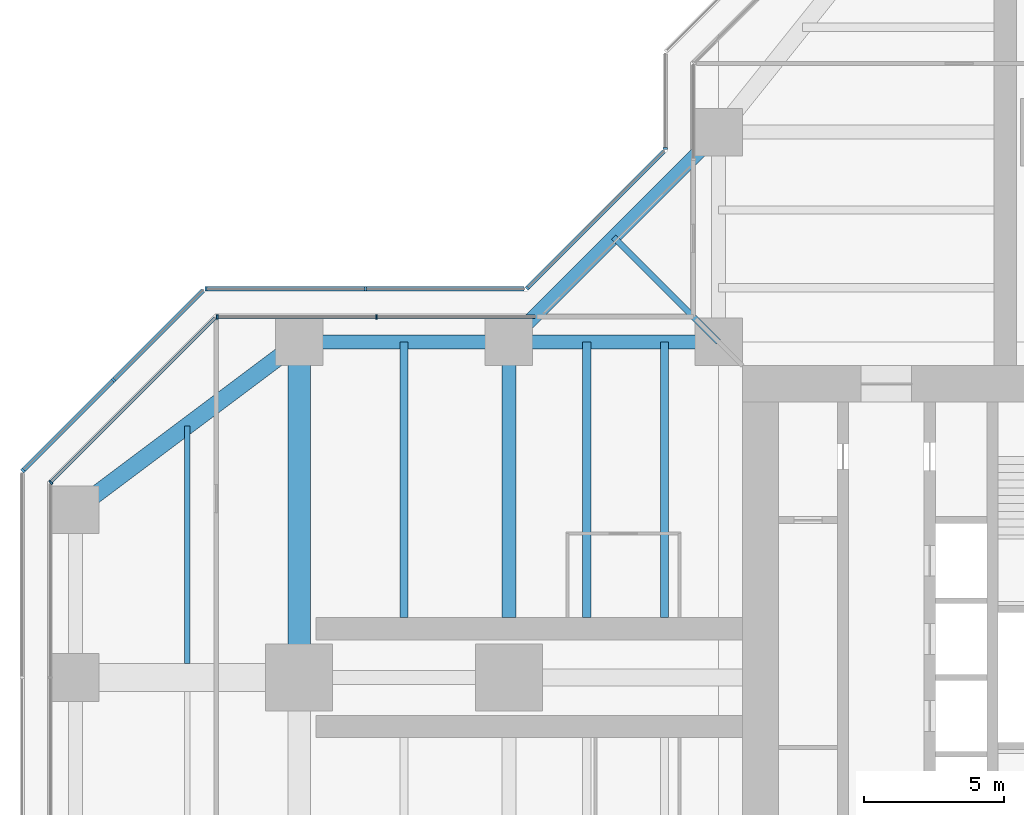
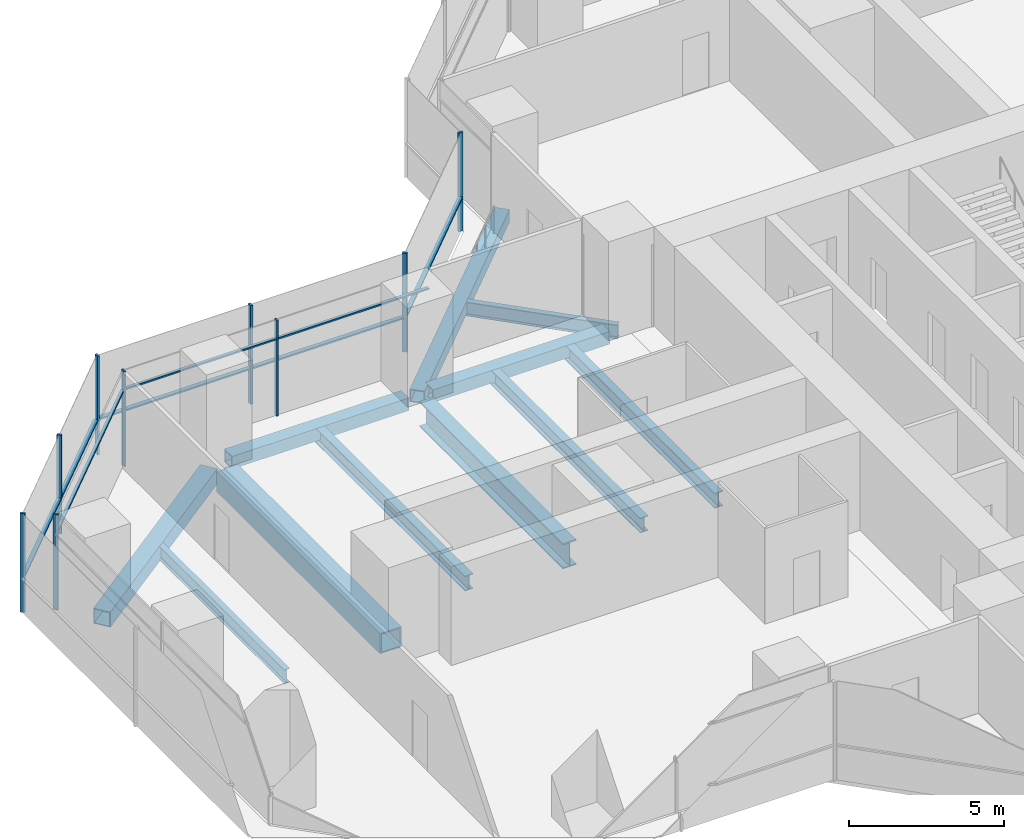
# One storey, part 7 of 19: 17 members, 11 beams, 6 elements without a shape of their own.
"""IFC4 building model written with IfcOpenShell, lengths in metres."""

import ifcopenshell
import ifcopenshell.guid

model = None  # the IFC model being written
_history = None  # IfcOwnerHistory: only IFC2X3 demands one
_inside = {}  # id of a spatial element -> (the spatial element, [elements in it])
_under = {}  # id of a project, library or spatial element -> (it, [spatial elements below it])
_declared = {}  # id of a project -> (the project, [libraries it declares])
_typed = {}  # id of a type object -> (the type object, [elements of that type])
_made_of = {}  # id of a material, layer set ... -> (it, [elements and type objects made of it])


def new_model(schema):
    """Start an empty IFC model of exactly this schema.

    Asked for "IFC4X3", IfcOpenShell would pick the latest addendum, in which some entities
    have other attributes; the version numbers below select the first issue.
    IFC2X3 requires an IfcOwnerHistory on every rooted entity: one is made here for all.
    """
    global model, _history
    if schema == "IFC4X3":
        model = ifcopenshell.file(schema_version=(4, 3, 0, 0))
    else:
        model = ifcopenshell.file(schema=schema)
    _inside.clear()
    _under.clear()
    _declared.clear()
    _typed.clear()
    _made_of.clear()
    _history = None
    if model.schema == "IFC2X3":
        org = make("IfcOrganization", Name="unknown")
        user = make(
            "IfcPersonAndOrganization",
            ThePerson=make("IfcPerson", FamilyName="unknown"),
            TheOrganization=org,
        )
        app = make(
            "IfcApplication",
            ApplicationDeveloper=org,
            Version="unknown",
            ApplicationFullName="unknown",
            ApplicationIdentifier="unknown",
        )
        _history = make(
            "IfcOwnerHistory",
            OwningUser=user,
            OwningApplication=app,
            ChangeAction="ADDED",
            CreationDate=0,
        )
    return model


def make(cls, **values):
    """One entity of the class cls with the attributes given. An attribute that is None is left unset."""
    return model.create_entity(
        cls, **{name: value for name, value in values.items() if value is not None}
    )


def rooted(cls, **values):
    """An entity with a GlobalId (a new one), such as an element, a storey or a relation."""
    return make(cls, GlobalId=ifcopenshell.guid.new(), OwnerHistory=_history, **values)


def si_unit(unit_type, name, prefix=None):
    """IfcSIUnit, for example si_unit("LENGTHUNIT", "METRE", prefix="MILLI")."""
    return make("IfcSIUnit", UnitType=unit_type, Prefix=prefix, Name=name)


def assignment(units):
    """IfcUnitAssignment: the units of a project."""
    return None if units is None else make("IfcUnitAssignment", Units=units)


def point(xyz):
    """IfcCartesianPoint."""
    return None if xyz is None else make("IfcCartesianPoint", Coordinates=xyz)


def direction(xyz):
    """IfcDirection."""
    return None if xyz is None else make("IfcDirection", DirectionRatios=xyz)


def frame(location, z_axis=None, x_axis=None):
    """IfcAxis2Placement3D, a coordinate frame: its origin and axes. An axis left out is left unset."""
    return make(
        "IfcAxis2Placement3D",
        Location=point(location),
        Axis=direction(z_axis),
        RefDirection=direction(x_axis),
    )


def frame_2d(location, x_axis=None):
    """IfcAxis2Placement2D, a coordinate frame in the plane: its origin and x axis."""
    return make(
        "IfcAxis2Placement2D", Location=point(location), RefDirection=direction(x_axis)
    )


def origin():
    """The frame at (0, 0, 0) with its axes left unset."""
    return frame((0.0, 0.0, 0.0))


def origin_2d():
    """The frame at (0, 0) in the plane with its x axis left unset."""
    return frame_2d((0.0, 0.0))


def place(relative_to, where):
    """IfcLocalPlacement: puts the frame where relative to a parent placement (None: the world)."""
    return make(
        "IfcLocalPlacement", PlacementRelTo=relative_to, RelativePlacement=where
    )


def context(
    kind, dimensions, precision=None, world=None, true_north=None, identifier=None
):
    """IfcGeometricRepresentationContext, for example the 3D "Model" context."""
    return make(
        "IfcGeometricRepresentationContext",
        ContextIdentifier=identifier,
        ContextType=kind,
        CoordinateSpaceDimension=dimensions,
        Precision=precision,
        WorldCoordinateSystem=world,
        TrueNorth=true_north,
    )


def subcontext(parent, identifier, kind, view, scale=None):
    """IfcGeometricRepresentationSubContext, for example "Body" below "Model"."""
    return make(
        "IfcGeometricRepresentationSubContext",
        ContextIdentifier=identifier,
        ContextType=kind,
        ParentContext=parent,
        TargetScale=scale,
        TargetView=view,
    )


def project(units=None, contexts=None):
    """IfcProject with its units and contexts."""
    return rooted(
        "IfcProject",
        Name="project",
        RepresentationContexts=contexts,
        UnitsInContext=assignment(units),
    )


def spatial(cls, under=None, at=None, **own):
    """A site, building, storey or space (cls), placed at a placement, below another one or the project."""
    s = rooted(cls, ObjectPlacement=at, **own)
    if under is not None:
        _under.setdefault(under.id(), (under, []))[1].append(s)
    return s


def profile(cls, at=None, kind="AREA", **sizes):
    """A parametric profile (cls). Its sizes go by their IFC names, for example OverallWidth=200.0."""
    return make(cls, ProfileType=kind, Position=at, **sizes)


def rectangle(**sizes):
    """IfcRectangleProfileDef."""
    return profile("IfcRectangleProfileDef", **sizes)


def hollow_rectangle(**sizes):
    """IfcRectangleHollowProfileDef."""
    return profile("IfcRectangleHollowProfileDef", **sizes)


def i_section(**sizes):
    """IfcIShapeProfileDef."""
    return profile("IfcIShapeProfileDef", **sizes)


def extrude(swept, where, along, depth):
    """IfcExtrudedAreaSolid: the profile swept, set in the frame where, extruded along a direction by depth."""
    return make(
        "IfcExtrudedAreaSolid",
        SweptArea=swept,
        Position=where,
        ExtrudedDirection=direction(along),
        Depth=depth,
    )


def shape(context_of_items, identifier, shape_type, items):
    """IfcShapeRepresentation: the items that make up one representation, for example the "Body"."""
    return make(
        "IfcShapeRepresentation",
        ContextOfItems=context_of_items,
        RepresentationIdentifier=identifier,
        RepresentationType=shape_type,
        Items=items,
    )


def material(Name=None, Category=None):
    """IfcMaterial."""
    return make("IfcMaterial", Name=Name, Category=Category)


def material_profile(
    of_material, cross_section, Name=None, Category=None, Priority=None
):
    """IfcMaterialProfile: a cross section and its material."""
    return make(
        "IfcMaterialProfile",
        Name=Name,
        Material=of_material,
        Profile=cross_section,
        Priority=Priority,
        Category=Category,
    )


def profile_set(profiles, Name=None, composite=None):
    """IfcMaterialProfileSet."""
    return make(
        "IfcMaterialProfileSet",
        Name=Name,
        MaterialProfiles=profiles,
        CompositeProfile=composite,
    )


def made_of(thing, what):
    """Note that an element or type object is made of a material, layer set ...; save() writes the relation."""
    if what is not None:
        _made_of.setdefault(what.id(), (what, []))[1].append(thing)
    return thing


def type_object(cls, material=None, **own):
    """A type object (cls), such as IfcWallType, which elements share."""
    return made_of(rooted(cls, **own), material)


def element(
    cls,
    number,
    at=None,
    inside=None,
    cuts=None,
    type_object=None,
    material=None,
    context=None,
    identifier="Body",
    shape_type=None,
    held_by="IfcProductDefinitionShape",
    body=None,
    shapes=None,
    **own,
):
    """One element of the class cls, such as IfcWall. Its Tag is "e" and its number.

    at: its placement. inside: the storey or other place that contains it. cuts: it is an
    opening in that element (IfcRelVoidsElement). A single representation is given by context,
    identifier, shape_type and body (its items); several are given by shapes. held_by: the class
    of the entity that holds the representations. save() writes the other relations.
    """
    e = rooted(cls, Tag="e%d" % number, ObjectPlacement=at, **own)
    if body is not None:
        shapes = [shape(context, identifier, shape_type, body)]
    if shapes is not None:
        e.Representation = make(held_by, Representations=shapes)
    if inside is not None:
        _inside.setdefault(inside.id(), (inside, []))[1].append(e)
    if cuts is not None:
        rooted(
            "IfcRelVoidsElement", RelatingBuildingElement=cuts, RelatedOpeningElement=e
        )
    if type_object is not None:
        _typed.setdefault(type_object.id(), (type_object, []))[1].append(e)
    return made_of(e, material)


def aggregate(whole, parts):
    """IfcRelAggregates: a whole, such as a stair, and the parts it consists of."""
    return rooted("IfcRelAggregates", RelatingObject=whole, RelatedObjects=parts)


def save(model, path):
    """Write the relations noted so far, then the file.

    IfcRelAggregates (storeys below a building ...), IfcRelContainedInSpatialStructure (elements
    in a storey), IfcRelDefinesByType, IfcRelAssociatesMaterial and IfcRelDeclares: one each for
    every whole, place, type object, material and project.
    """
    for whole, parts in _under.values():
        aggregate(whole, parts)
    for where, things in _inside.values():
        rooted(
            "IfcRelContainedInSpatialStructure",
            RelatedElements=things,
            RelatingStructure=where,
        )
    for kind, things in _typed.values():
        rooted("IfcRelDefinesByType", RelatedObjects=things, RelatingType=kind)
    for what, things in _made_of.values():
        rooted("IfcRelAssociatesMaterial", RelatedObjects=things, RelatingMaterial=what)
    for by, libraries in _declared.values():
        rooted("IfcRelDeclares", RelatingContext=by, RelatedDefinitions=libraries)
    model.write(path)


model = new_model("IFC4")

# Units and contexts
model_context = context("Model", 3, precision=1e-05, world=origin(), true_north=direction((0.0, 1.0)))
body_context = subcontext(model_context, "Body", "Model", "MODEL_VIEW")
ifc_project = project(units=[si_unit("LENGTHUNIT", "METRE"), si_unit("AREAUNIT", "SQUARE_METRE"), si_unit("VOLUMEUNIT", "CUBIC_METRE"), si_unit("PLANEANGLEUNIT", "RADIAN"), si_unit("MASSUNIT", "GRAM", prefix="KILO")], contexts=[model_context])

# Site, building, storey
site_placement = place(None, origin())
site = spatial("IfcSite", under=ifc_project, at=site_placement, CompositionType="ELEMENT")
building_placement = place(site_placement, origin())
building = spatial("IfcBuilding", under=site, at=building_placement, Name="Mizan Broadcast Tower", CompositionType="ELEMENT")
storey_placement = place(building_placement, frame((0.0, 0.0, 132.0)))
storey = spatial("IfcBuildingStorey", under=building, at=storey_placement, Name="L29", CompositionType="ELEMENT", Elevation=132.0)

# Beams
ifc_material_1 = material(Name="Steel S355", Category="steel")
ifc_material_profile_1 = material_profile(ifc_material_1, hollow_rectangle(XDim=0.5, YDim=0.5, WallThickness=0.030029296875, at=origin_2d()), Name="BOX 500x500x30")
ifc_profile_set_1 = profile_set([ifc_material_profile_1], Name="Steel S355")
beam_type_1 = type_object("IfcBeamType", Name="EDGE BEAM BOX 500x500x30", PredefinedType="SPANDREL", material=ifc_profile_set_1)
for number, where, z_axis, x_axis, name in (
    (1, (-12.449951171875, 12.0, -0.3798828125), (-1.0, 0.0, 0.0), (0.0, -1.0, 0.0), "Edge beam BOX 500x500x30 L29 west arm"),
    (2, (-19.949951171875, 12.0, -0.3798828125), (-1.0, 0.0, 0.0), (0.0, -1.0, 0.0), "Edge beam BOX 500x500x30 L29 west arm"),
):
    element("IfcBeam", number, at=place(storey_placement, frame(where, z_axis=z_axis, x_axis=x_axis)), inside=storey, type_object=beam_type_1, Name=name, PredefinedType="SPANDREL", context=body_context, shape_type="SweptSolid", body=[
        extrude(hollow_rectangle(XDim=0.5, YDim=0.5, WallThickness=0.030029296875, at=origin_2d()), origin(), (0.0, 0.0, 1.0), 6.60009765625),
    ])
beam_1_placement = place(storey_placement, frame((-12.0, 19.5, -0.3798828125), z_axis=(-0.707106781187, -0.707106781187, 0.0), x_axis=(0.707106781187, -0.707106781187, 0.0)))
element("IfcBeam", 3, at=beam_1_placement, inside=storey, type_object=beam_type_1, Name="Winter garden edge beam L29 N", PredefinedType="SPANDREL", context=body_context, shape_type="SweptSolid", body=[
    extrude(hollow_rectangle(XDim=0.5, YDim=0.5, WallThickness=0.030029296875, at=origin_2d()), origin(), (0.0, 0.0, 1.0), 10.606689453125),
])
ifc_material_2 = material(Name="Steel S355", Category="steel")
ifc_material_profile_2 = material_profile(ifc_material_2, hollow_rectangle(XDim=0.60009765625, YDim=0.60009765625, WallThickness=0.030029296875, at=origin_2d()), Name="BOX 600x600x30")
ifc_profile_set_2 = profile_set([ifc_material_profile_2], Name="Steel S355")
beam_type_2 = type_object("IfcBeamType", Name="EDGE BEAM BOX 600x600x30", PredefinedType="SPANDREL", material=ifc_profile_set_2)
beam_2_placement = place(storey_placement, frame((-27.47998046875, 11.639892578125, -0.429931640625), z_axis=(-0.800013316712, -0.599982243973, 0.0), x_axis=(0.599982243973, -0.800013316712, 0.0)))
element("IfcBeam", 4, at=beam_2_placement, inside=storey, type_object=beam_type_2, Name="Edge beam BOX 600x600x30 L29 west arm", PredefinedType="SPANDREL", context=body_context, shape_type="SweptSolid", body=[
    extrude(hollow_rectangle(XDim=0.60009765625, YDim=0.60009765625, WallThickness=0.030029296875, at=origin_2d()), origin(), (0.0, 0.0, 1.0), 8.7998046875),
])
ifc_material_3 = material(Name="Steel S460", Category="steel")
ifc_material_profile_3 = material_profile(ifc_material_3, hollow_rectangle(XDim=0.800048828125, YDim=0.800048828125, WallThickness=0.050048828125, at=origin_2d()), Name="BOX 800x800x50")
ifc_profile_set_3 = profile_set([ifc_material_profile_3], Name="Steel S460")
beam_type_3 = type_object("IfcBeamType", Name="GIRDER BOX 800x800x50", PredefinedType="BEAM", material=ifc_profile_set_3)
beam_3_placement = place(storey_placement, frame((-27.0, 11.280029296875, -0.530029296875), z_axis=(0.0, -1.0, 0.0), x_axis=(1.0, 0.0, 0.0)))
element("IfcBeam", 5, at=beam_3_placement, inside=storey, type_object=beam_type_3, Name="Girder BOX 800x800x50 L29 west arm", PredefinedType="BEAM", context=body_context, shape_type="SweptSolid", body=[
    extrude(hollow_rectangle(XDim=0.800048828125, YDim=0.800048828125, WallThickness=0.050048828125, at=origin_2d()), origin(), (0.0, 0.0, 1.0), 10.56005859375),
])
ifc_material_4 = material(Name="Steel S460", Category="steel")
ifc_material_profile_4 = material_profile(ifc_material_4, i_section(OverallWidth=0.5, OverallDepth=1.0, WebThickness=0.02490234375, FlangeThickness=0.050048828125, at=origin_2d()), Name="WPG 1000x500")
ifc_profile_set_4 = profile_set([ifc_material_profile_4], Name="Steel S460")
beam_type_4 = type_object("IfcBeamType", Name="GIRDER WPG 1000x500", PredefinedType="BEAM", material=ifc_profile_set_4)
beam_4_placement = place(storey_placement, frame((-19.5, 11.408935546875, -0.6298828125), z_axis=(0.0, -1.0, 0.0), x_axis=(1.0, 0.0, 0.0)))
element("IfcBeam", 6, at=beam_4_placement, inside=storey, type_object=beam_type_4, Name="Girder WPG 1000x500 L29 west arm", PredefinedType="BEAM", context=body_context, shape_type="SweptSolid", body=[
    extrude(i_section(OverallWidth=0.5, OverallDepth=1.0, WebThickness=0.02490234375, FlangeThickness=0.050048828125, at=origin_2d()), origin(), (0.0, 0.0, 1.0), 9.259033203125),
])

# Curtain wall, members
ifc_material_5 = material(Name="Aluminium framed glazing", Category="aluminium")
curtain_wall_type_1 = type_object("IfcCurtainWallType", Name="INNER SKIN MID ZONE", PredefinedType="USERDEFINED", material=ifc_material_5)
curtain_wall_1_placement = place(storey_placement, origin())
curtain_wall_1 = element("IfcCurtainWall", 7, at=curtain_wall_1_placement, inside=storey, type_object=curtain_wall_type_1, Name="Inner skin mid zone L29 W side", ObjectType="INNER SKIN MID ZONE", PredefinedType="USERDEFINED")
ifc_material_6 = material(Name="Aluminium, pale anodised", Category="aluminium")
ifc_material_profile_5 = material_profile(ifc_material_6, rectangle(XDim=0.159912109375, YDim=0.06005859375, at=origin_2d()), Name="MULLION 160x60")
ifc_profile_set_5 = profile_set([ifc_material_profile_5], Name="Aluminium, pale anodised")
member_type_1 = type_object("IfcMemberType", Name="INNER SKIN MULLION 60x160", PredefinedType="MULLION", material=ifc_profile_set_5)
member_1_placement = place(storey_placement, frame((-24.229248046875, 12.89990234375, 0.0), z_axis=(0.0, 0.0, 1.0), x_axis=(0.0, -1.0, 0.0)))
member_1 = element("IfcMember", 8, at=member_1_placement, type_object=member_type_1, Name="Inner skin mid zone L29 W side mullion 2", PredefinedType="MULLION", context=body_context, shape_type="SweptSolid", body=[
    extrude(rectangle(XDim=0.159912109375, YDim=0.06005859375, at=origin_2d()), origin(), (0.0, 0.0, 1.0), 3.77001953125),
])
member_2_placement = place(storey_placement, frame((-29.928466796875, 12.89990234375, 0.0), z_axis=(0.0, 0.0, 1.0), x_axis=(0.0, -1.0, 0.0)))
member_2 = element("IfcMember", 9, at=member_2_placement, type_object=member_type_1, Name="Inner skin mid zone L29 W side mullion 3", PredefinedType="MULLION", context=body_context, shape_type="SweptSolid", body=[
    extrude(rectangle(XDim=0.159912109375, YDim=0.06005859375, at=origin_2d()), origin(), (0.0, 0.0, 1.0), 3.77001953125),
])

# Curtain wall, member
curtain_wall_2_placement = place(storey_placement, origin())
curtain_wall_2 = element("IfcCurtainWall", 10, at=curtain_wall_2_placement, inside=storey, type_object=curtain_wall_type_1, Name="Inner skin mid zone L29 W chamfer", ObjectType="INNER SKIN MID ZONE", PredefinedType="USERDEFINED")
member_3_placement = place(storey_placement, frame((-35.87890625, 6.979736328125, 0.0), z_axis=(0.0, 0.0, 1.0), x_axis=(0.707106781187, -0.707106781187, 0.0)))
member_3 = element("IfcMember", 11, at=member_3_placement, type_object=member_type_1, Name="Inner skin mid zone L29 W chamfer mullion 2", PredefinedType="MULLION", context=body_context, shape_type="SweptSolid", body=[
    extrude(rectangle(XDim=0.159912109375, YDim=0.06005859375, at=origin_2d()), origin(), (0.0, 0.0, 1.0), 3.77001953125),
])

# Member
ifc_material_7 = material(Name="Aluminium, pale anodised", Category="aluminium")
ifc_material_profile_6 = material_profile(ifc_material_7, rectangle(XDim=0.1201171875, YDim=0.06005859375, at=origin_2d()), Name="TRANSOM 120x60")
ifc_profile_set_6 = profile_set([ifc_material_profile_6], Name="Aluminium, pale anodised")
member_type_2 = type_object("IfcMemberType", Name="INNER SKIN TRANSOM 60x120", PredefinedType="USERDEFINED", material=ifc_profile_set_6)
member_4_placement = place(storey_placement, frame((-18.56005859375, 12.89990234375, 3.030029296875), z_axis=(-1.0, 0.0, 0.0), x_axis=(0.0, -1.0, 0.0)))
member_4 = element("IfcMember", 12, at=member_4_placement, type_object=member_type_2, Name="Inner skin mid zone L29 W side transom 1.1", ObjectType="TRANSOM", PredefinedType="USERDEFINED", context=body_context, shape_type="SweptSolid", body=[
    extrude(rectangle(XDim=0.1201171875, YDim=0.06005859375, at=origin_2d()), origin(), (0.0, 0.0, 1.0), 5.63916015625),
])

member_5_placement = place(storey_placement, frame((-24.25927734375, 12.89990234375, 3.030029296875), z_axis=(-1.0, 0.0, 0.0), x_axis=(0.0, -1.0, 0.0)))
member_5 = element("IfcMember", 13, at=member_5_placement, type_object=member_type_2, Name="Inner skin mid zone L29 W side transom 2.1", ObjectType="TRANSOM", PredefinedType="USERDEFINED", context=body_context, shape_type="SweptSolid", body=[
    extrude(rectangle(XDim=0.1201171875, YDim=0.06005859375, at=origin_2d()), origin(), (0.0, 0.0, 1.0), 5.639404296875),
])

aggregate(curtain_wall_1, [member_1, member_2, member_4, member_5])

member_6_placement = place(storey_placement, frame((-30.0009765625, 12.857666015625, 3.030029296875), z_axis=(-0.707106781187, -0.707106781187, 0.0), x_axis=(0.707106781187, -0.707106781187, 0.0)))
member_6 = element("IfcMember", 14, at=member_6_placement, type_object=member_type_2, Name="Inner skin mid zone L29 W chamfer transom 1.1", ObjectType="TRANSOM", PredefinedType="USERDEFINED", context=body_context, shape_type="SweptSolid", body=[
    extrude(rectangle(XDim=0.1201171875, YDim=0.06005859375, at=origin_2d()), origin(), (0.0, 0.0, 1.0), 8.28271484375),
])

aggregate(curtain_wall_2, [member_3, member_6])

# Curtain wall, member
ifc_material_8 = material(Name="Aluminium framed glazing", Category="aluminium")
curtain_wall_type_2 = type_object("IfcCurtainWallType", Name="OUTER SKIN", PredefinedType="USERDEFINED", material=ifc_material_8)
curtain_wall_3_placement = place(storey_placement, origin())
curtain_wall_3 = element("IfcCurtainWall", 15, at=curtain_wall_3_placement, inside=storey, type_object=curtain_wall_type_2, Name="Outer skin L29 N side", ObjectType="OUTER SKIN", PredefinedType="USERDEFINED")
ifc_material_9 = material(Name="Aluminium, pale anodised", Category="aluminium")
ifc_material_profile_7 = material_profile(ifc_material_9, rectangle(XDim=0.159912109375, YDim=0.080078125, at=origin_2d()), Name="MULLION 160x80")
ifc_profile_set_7 = profile_set([ifc_material_profile_7], Name="Aluminium, pale anodised")
member_type_3 = type_object("IfcMemberType", Name="OUTER SKIN MULLION 80x160", PredefinedType="MULLION", material=ifc_profile_set_7)
member_7_placement = place(storey_placement, frame((-13.89990234375, 18.912841796875, 0.0), z_axis=(0.0, 0.0, 1.0), x_axis=(1.0, 0.0, 0.0)))
member_7 = element("IfcMember", 16, at=member_7_placement, type_object=member_type_3, Name="Outer skin L29 N side mullion 2", PredefinedType="MULLION", context=body_context, shape_type="SweptSolid", body=[
    extrude(rectangle(XDim=0.159912109375, YDim=0.080078125, at=origin_2d()), origin(), (0.0, 0.0, 1.0), 3.89990234375),
])
aggregate(curtain_wall_3, [member_7])

curtain_wall_4_placement = place(storey_placement, origin())
curtain_wall_4 = element("IfcCurtainWall", 17, at=curtain_wall_4_placement, inside=storey, type_object=curtain_wall_type_2, Name="Outer skin L29 W chamfer", ObjectType="OUTER SKIN", PredefinedType="USERDEFINED")
member_8_placement = place(storey_placement, frame((-18.844482421875, 13.92822265625, 0.0), z_axis=(0.0, 0.0, 1.0), x_axis=(0.707106781187, -0.707106781187, 0.0)))
member_8 = element("IfcMember", 18, at=member_8_placement, type_object=member_type_3, Name="Outer skin L29 W chamfer mullion 2", PredefinedType="MULLION", context=body_context, shape_type="SweptSolid", body=[
    extrude(rectangle(XDim=0.159912109375, YDim=0.080078125, at=origin_2d()), origin(), (0.0, 0.0, 1.0), 3.89990234375),
])

# Curtain wall, members
curtain_wall_5_placement = place(storey_placement, origin())
curtain_wall_5 = element("IfcCurtainWall", 19, at=curtain_wall_5_placement, inside=storey, type_object=curtain_wall_type_2, Name="Outer skin L29 W side", ObjectType="OUTER SKIN", PredefinedType="USERDEFINED")
member_9_placement = place(storey_placement, frame((-24.622802734375, 13.89990234375, 0.0), z_axis=(0.0, 0.0, 1.0), x_axis=(0.0, -1.0, 0.0)))
member_9 = element("IfcMember", 20, at=member_9_placement, type_object=member_type_3, Name="Outer skin L29 W side mullion 2", PredefinedType="MULLION", context=body_context, shape_type="SweptSolid", body=[
    extrude(rectangle(XDim=0.159912109375, YDim=0.080078125, at=origin_2d()), origin(), (0.0, 0.0, 1.0), 3.89990234375),
])
member_10_placement = place(storey_placement, frame((-30.332763671875, 13.89990234375, 0.0), z_axis=(0.0, 0.0, 1.0), x_axis=(0.0, -1.0, 0.0)))
member_10 = element("IfcMember", 21, at=member_10_placement, type_object=member_type_3, Name="Outer skin L29 W side mullion 3", PredefinedType="MULLION", context=body_context, shape_type="SweptSolid", body=[
    extrude(rectangle(XDim=0.159912109375, YDim=0.080078125, at=origin_2d()), origin(), (0.0, 0.0, 1.0), 3.89990234375),
])

curtain_wall_6_placement = place(storey_placement, origin())
curtain_wall_6 = element("IfcCurtainWall", 22, at=curtain_wall_6_placement, inside=storey, type_object=curtain_wall_type_2, Name="Outer skin L29 W chamfer", ObjectType="OUTER SKIN", PredefinedType="USERDEFINED")
member_11_placement = place(storey_placement, frame((-33.636474609375, 10.636474609375, 0.0), z_axis=(0.0, 0.0, 1.0), x_axis=(0.707106781187, -0.707106781187, 0.0)))
member_11 = element("IfcMember", 23, at=member_11_placement, type_object=member_type_3, Name="Outer skin L29 W chamfer mullion 2", PredefinedType="MULLION", context=body_context, shape_type="SweptSolid", body=[
    extrude(rectangle(XDim=0.159912109375, YDim=0.080078125, at=origin_2d()), origin(), (0.0, 0.0, 1.0), 3.89990234375),
])
member_12_placement = place(storey_placement, frame((-36.871826171875, 7.401123046875, 0.0), z_axis=(0.0, 0.0, 1.0), x_axis=(0.707106781187, -0.707106781187, 0.0)))
member_12 = element("IfcMember", 24, at=member_12_placement, type_object=member_type_3, Name="Outer skin L29 W chamfer mullion 3", PredefinedType="MULLION", context=body_context, shape_type="SweptSolid", body=[
    extrude(rectangle(XDim=0.159912109375, YDim=0.080078125, at=origin_2d()), origin(), (0.0, 0.0, 1.0), 3.89990234375),
])

# Member
ifc_material_10 = material(Name="Aluminium, pale anodised", Category="aluminium")
ifc_material_profile_8 = material_profile(ifc_material_10, rectangle(XDim=0.159912109375, YDim=0.06005859375, at=origin_2d()), Name="TRANSOM 160x60")
ifc_profile_set_8 = profile_set([ifc_material_profile_8], Name="Aluminium, pale anodised")
member_type_4 = type_object("IfcMemberType", Name="OUTER SKIN TRANSOM 60x160", PredefinedType="USERDEFINED", material=ifc_profile_set_8)
member_13_placement = place(storey_placement, frame((-13.95654296875, 18.816162109375, 1.39990234375), z_axis=(-0.707106781187, -0.707106781187, 0.0), x_axis=(0.707106781187, -0.707106781187, 0.0)))
member_13 = element("IfcMember", 25, at=member_13_placement, type_object=member_type_4, Name="Outer skin L29 W chamfer transom 1.1", ObjectType="TRANSOM", PredefinedType="USERDEFINED", context=body_context, shape_type="SweptSolid", body=[
    extrude(rectangle(XDim=0.159912109375, YDim=0.06005859375, at=origin_2d()), origin(), (0.0, 0.0, 1.0), 6.87255859375),
])

aggregate(curtain_wall_4, [member_8, member_13])

member_14_placement = place(storey_placement, frame((-18.952880859375, 13.89990234375, 1.39990234375), z_axis=(-1.0, 0.0, 0.0), x_axis=(0.0, -1.0, 0.0)))
member_14 = element("IfcMember", 26, at=member_14_placement, type_object=member_type_4, Name="Outer skin L29 W side transom 1.1", ObjectType="TRANSOM", PredefinedType="USERDEFINED", context=body_context, shape_type="SweptSolid", body=[
    extrude(rectangle(XDim=0.159912109375, YDim=0.06005859375, at=origin_2d()), origin(), (0.0, 0.0, 1.0), 5.6298828125),
])

member_15_placement = place(storey_placement, frame((-24.662841796875, 13.89990234375, 1.39990234375), z_axis=(-1.0, 0.0, 0.0), x_axis=(0.0, -1.0, 0.0)))
member_15 = element("IfcMember", 27, at=member_15_placement, type_object=member_type_4, Name="Outer skin L29 W side transom 2.1", ObjectType="TRANSOM", PredefinedType="USERDEFINED", context=body_context, shape_type="SweptSolid", body=[
    extrude(rectangle(XDim=0.159912109375, YDim=0.06005859375, at=origin_2d()), origin(), (0.0, 0.0, 1.0), 5.6298828125),
])

aggregate(curtain_wall_5, [member_9, member_10, member_14, member_15])

member_16_placement = place(storey_placement, frame((-30.429443359375, 13.843505859375, 1.39990234375), z_axis=(-0.707106781187, -0.707106781187, 0.0), x_axis=(0.707106781187, -0.707106781187, 0.0)))
member_16 = element("IfcMember", 28, at=member_16_placement, type_object=member_type_4, Name="Outer skin L29 W chamfer transom 1.1", ObjectType="TRANSOM", PredefinedType="USERDEFINED", context=body_context, shape_type="SweptSolid", body=[
    extrude(rectangle(XDim=0.159912109375, YDim=0.06005859375, at=origin_2d()), origin(), (0.0, 0.0, 1.0), 4.495361328125),
])

member_17_placement = place(storey_placement, frame((-33.664794921875, 10.608154296875, 1.39990234375), z_axis=(-0.707106781187, -0.707106781187, 0.0), x_axis=(0.707106781187, -0.707106781187, 0.0)))
member_17 = element("IfcMember", 29, at=member_17_placement, type_object=member_type_4, Name="Outer skin L29 W chamfer transom 2.1", ObjectType="TRANSOM", PredefinedType="USERDEFINED", context=body_context, shape_type="SweptSolid", body=[
    extrude(rectangle(XDim=0.159912109375, YDim=0.06005859375, at=origin_2d()), origin(), (0.0, 0.0, 1.0), 4.495361328125),
])

aggregate(curtain_wall_6, [member_11, member_12, member_16, member_17])

# Beams
ifc_material_11 = material(Name="Steel S355", Category="steel")
ifc_material_profile_9 = material_profile(ifc_material_11, i_section(OverallWidth=0.300048828125, OverallDepth=0.590087890625, WebThickness=0.012939453125, FlangeThickness=0.02490234375, FilletRadius=0.027099609375, at=origin_2d()), Name="HEA 600")
ifc_profile_set_9 = profile_set([ifc_material_profile_9], Name="Steel S355")
beam_type_5 = type_object("IfcBeamType", Name="SECONDARY BEAM HEA 600", PredefinedType="JOIST", material=ifc_profile_set_9)
for number, where, z_axis, x_axis, name in (
    (30, (-13.933349609375, 12.0, -0.425048828125), (0.0, -1.0, 0.0), (1.0, 0.0, 0.0), "Secondary beam HEA 600 L29 west arm"),
    (31, (-16.716552734375, 12.0, -0.425048828125), (0.0, -1.0, 0.0), (1.0, 0.0, 0.0), "Secondary beam HEA 600 L29 west arm"),
    (32, (-23.25, 12.0, -0.425048828125), (0.0, -1.0, 0.0), (1.0, 0.0, 0.0), "Secondary beam HEA 600 L29 west arm"),
):
    element("IfcBeam", number, at=place(storey_placement, frame(where, z_axis=z_axis, x_axis=x_axis)), inside=storey, type_object=beam_type_5, Name=name, PredefinedType="JOIST", context=body_context, shape_type="SweptSolid", body=[
        extrude(i_section(OverallWidth=0.300048828125, OverallDepth=0.590087890625, WebThickness=0.012939453125, FlangeThickness=0.02490234375, FilletRadius=0.027099609375, at=origin_2d()), origin(), (0.0, 0.0, 1.0), 9.85009765625),
    ])
ifc_material_12 = material(Name="Steel S355", Category="steel")
ifc_material_profile_10 = material_profile(ifc_material_12, i_section(OverallWidth=0.2099609375, OverallDepth=0.550048828125, WebThickness=0.010986328125, FlangeThickness=0.01708984375, FilletRadius=0.02392578125, at=origin_2d()), Name="IPE 550")
ifc_profile_set_10 = profile_set([ifc_material_profile_10], Name="Steel S355")
beam_type_6 = type_object("IfcBeamType", Name="SECONDARY BEAM IPE 550", PredefinedType="JOIST", material=ifc_profile_set_10)
beam_5_placement = place(storey_placement, frame((-31.0, 9.0, -0.405029296875), z_axis=(0.0, -1.0, 0.0), x_axis=(1.0, 0.0, 0.0)))
element("IfcBeam", 33, at=beam_5_placement, inside=storey, type_object=beam_type_6, Name="Secondary beam IPE 550 L29 west arm", PredefinedType="JOIST", context=body_context, shape_type="SweptSolid", body=[
    extrude(i_section(OverallWidth=0.2099609375, OverallDepth=0.550048828125, WebThickness=0.010986328125, FlangeThickness=0.01708984375, FilletRadius=0.02392578125, at=origin_2d()), origin(), (0.0, 0.0, 1.0), 8.5),
])
beam_6_placement = place(storey_placement, frame((-12.0, 12.0, -0.405029296875), z_axis=(-0.707106781187, 0.707106781187, 0.0), x_axis=(-0.707106781187, -0.707106781187, 0.0)))
element("IfcBeam", 34, at=beam_6_placement, inside=storey, type_object=beam_type_6, Name="Winter garden beam L29 N", PredefinedType="JOIST", context=body_context, shape_type="SweptSolid", body=[
    extrude(i_section(OverallWidth=0.2099609375, OverallDepth=0.550048828125, WebThickness=0.010986328125, FlangeThickness=0.01708984375, FilletRadius=0.02392578125, at=origin_2d()), origin(), (0.0, 0.0, 1.0), 5.30322265625),
])

save(model, "model.ifc")
